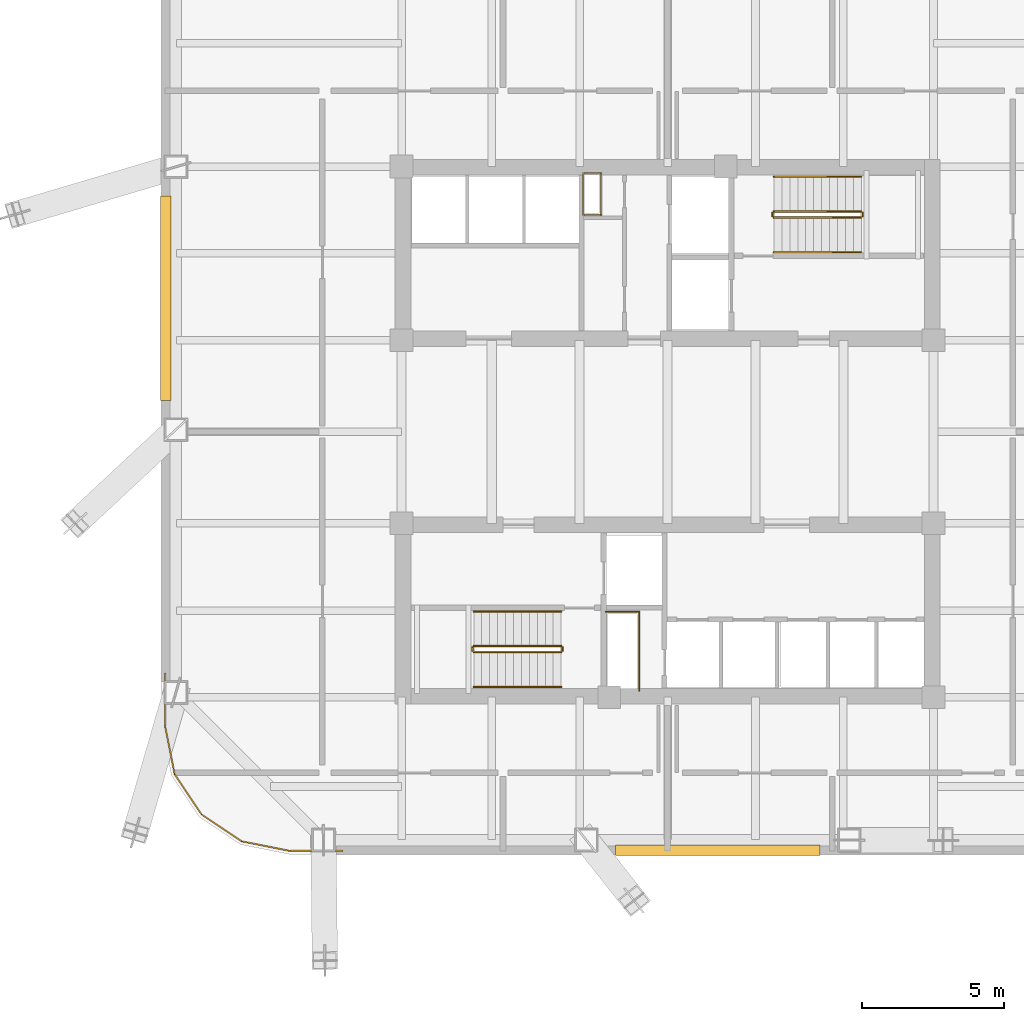
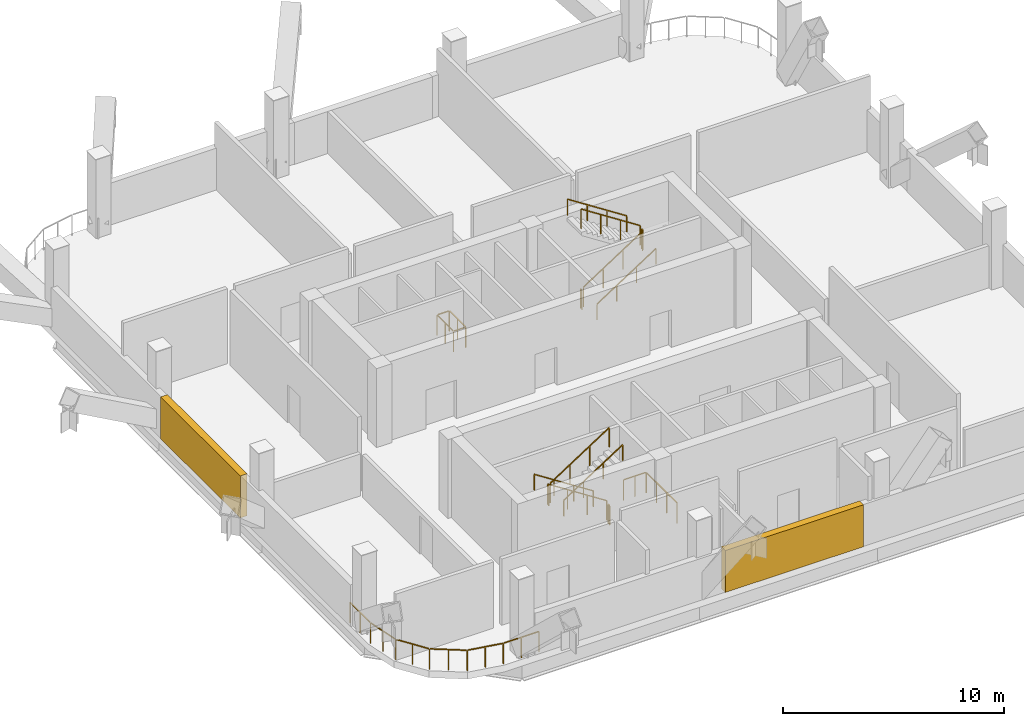
# One storey, part 6 of 7: 15 railings, 2 shading devices.
"""IFC4 building model written with IfcOpenShell, lengths in metres."""

from ifc_helpers import new_model, si_unit, direction, frame, origin, origin_2d, place, context, subcontext, project, spatial, rectangle, extrude, material, type_object, element, save


model = new_model("IFC4")

# Units and contexts
model_context = context("Model", 3, precision=1e-05, world=origin(), true_north=direction((0.0, 1.0)))
body_context = subcontext(model_context, "Body", "Model", "MODEL_VIEW")
ifc_project = project(units=[si_unit("LENGTHUNIT", "METRE"), si_unit("AREAUNIT", "SQUARE_METRE"), si_unit("VOLUMEUNIT", "CUBIC_METRE"), si_unit("PLANEANGLEUNIT", "RADIAN"), si_unit("MASSUNIT", "GRAM", prefix="KILO")], contexts=[model_context])

# Site, building, storey
site_placement = place(None, origin())
site = spatial("IfcSite", under=ifc_project, at=site_placement, CompositionType="ELEMENT")
building_placement = place(site_placement, origin())
building = spatial("IfcBuilding", under=site, at=building_placement, Name="Qhalaya Broadcast Tower", CompositionType="ELEMENT")
storey_placement = place(building_placement, frame((0.0, 0.0, 108.449951171875)))
storey = spatial("IfcBuildingStorey", under=building, at=storey_placement, Name="L31", CompositionType="ELEMENT", Elevation=108.449951171875)

# Shading devices
ifc_material_1 = material(Name="Fired Architectural Terracotta", Category="masonry")
shading_device_type = type_object("IfcShadingDeviceType", Name="Plant & Turbine-Slot Acoustic Louvre Screen LVS-01", PredefinedType="USERDEFINED", material=ifc_material_1)
for number, where, z_axis, x_axis, name in (
    (1, (1.77001953125, -14.14990234375, 0.0), (0.0, 0.0, 1.0), (-1.0, 0.0, 0.0), "L31 Plant Acoustic Louvre Screen S"),
    (2, (-17.68994140625, 5.31005859375, 0.0), (0.0, 0.0, 1.0), (0.0, 1.0, 0.0), "L31 Plant Acoustic Louvre Screen W"),
):
    element("IfcShadingDevice", number, at=place(storey_placement, frame(where, z_axis=z_axis, x_axis=x_axis)), inside=storey, type_object=shading_device_type, Name=name, ObjectType="LOUVRE", PredefinedType="USERDEFINED", context=body_context, shape_type="SweptSolid", body=[
        extrude(rectangle(XDim=7.199951171875, YDim=0.360107421875, at=origin_2d()), origin(), (0.0, 0.0, 1.0), 2.31005859375),
    ])

# Railings
ifc_material_2 = material(Name="Powder-Coated Galvanised Steel", Category="steel")
railing_type_1 = type_object("IfcRailingType", Name="Stair Wall Handrail 900", PredefinedType="HANDRAIL", material=ifc_material_2)
railing_1_placement = place(storey_placement, frame((3.75, 6.929931640625, 0.181396484375)))
element("IfcRailing", 3, at=railing_1_placement, inside=storey, type_object=railing_type_1, Name="L31 ST-1 Stair Handrail 1", PredefinedType="HANDRAIL", context=body_context, shape_type="SweptSolid", body=[
    extrude(rectangle(XDim=0.048095703125, YDim=0.048095703125, at=origin_2d()), frame((0.0, 0.0, 0.8759765625), z_axis=(0.839488025565, 0.0, 0.543378187759), x_axis=(0.0, 1.0, 0.0)), (0.0, 0.0, 1.0), 3.6689453125),
    extrude(rectangle(XDim=0.0419921875, YDim=0.0419921875, at=origin_2d()), origin(), (0.0, 0.0, 1.0), 0.849853515625),
    extrude(rectangle(XDim=0.0419921875, YDim=0.0419921875, at=origin_2d()), frame((1.026611328125, 0.0, 0.66455078125)), (0.0, 0.0, 1.0), 0.849853515625),
    extrude(rectangle(XDim=0.0419921875, YDim=0.0419921875, at=origin_2d()), frame((2.053466796875, 0.0, 1.3291015625)), (0.0, 0.0, 1.0), 0.849853515625),
    extrude(rectangle(XDim=0.0419921875, YDim=0.0419921875, at=origin_2d()), frame((3.080078125, 0.0, 1.99365234375)), (0.0, 0.0, 1.0), 0.849853515625),
])
railing_2_placement = place(storey_placement, frame((6.830078125, 9.590087890625, 2.356201171875)))
element("IfcRailing", 4, at=railing_2_placement, inside=storey, type_object=railing_type_1, Name="L31 ST-1 Stair Handrail 2", PredefinedType="HANDRAIL", context=body_context, shape_type="SweptSolid", body=[
    extrude(rectangle(XDim=0.048095703125, YDim=0.048095703125, at=origin_2d()), frame((0.0, 0.0, 0.8759765625), z_axis=(-0.8394576718, 0.0, 0.543425079708), x_axis=(0.0, -1.0, 0.0)), (0.0, 0.0, 1.0), 3.669189453125),
    extrude(rectangle(XDim=0.0419921875, YDim=0.0419921875, at=origin_2d()), origin(), (0.0, 0.0, 1.0), 0.849853515625),
    extrude(rectangle(XDim=0.0419921875, YDim=0.0419921875, at=origin_2d()), frame((-1.026611328125, 0.0, 0.66455078125)), (0.0, 0.0, 1.0), 0.849853515625),
    extrude(rectangle(XDim=0.0419921875, YDim=0.0419921875, at=origin_2d()), frame((-2.053466796875, 0.0, 1.329345703125)), (0.0, 0.0, 1.0), 0.849853515625),
    extrude(rectangle(XDim=0.0419921875, YDim=0.0419921875, at=origin_2d()), frame((-3.080078125, 0.0, 1.993896484375)), (0.0, 0.0, 1.0), 0.849853515625),
])
railing_3_placement = place(storey_placement, frame((-3.75, -5.72998046875, 0.181396484375)))
element("IfcRailing", 5, at=railing_3_placement, inside=storey, type_object=railing_type_1, Name="L31 ST-2 Stair Handrail 1", PredefinedType="HANDRAIL", context=body_context, shape_type="SweptSolid", body=[
    extrude(rectangle(XDim=0.048095703125, YDim=0.048095703125, at=origin_2d()), frame((0.0, 0.0, 0.8759765625), z_axis=(-0.839488025565, 0.0, 0.543378187759), x_axis=(0.0, -1.0, 0.0)), (0.0, 0.0, 1.0), 3.6689453125),
    extrude(rectangle(XDim=0.0419921875, YDim=0.0419921875, at=origin_2d()), origin(), (0.0, 0.0, 1.0), 0.849853515625),
    extrude(rectangle(XDim=0.0419921875, YDim=0.0419921875, at=origin_2d()), frame((-1.026611328125, 0.0, 0.66455078125)), (0.0, 0.0, 1.0), 0.849853515625),
    extrude(rectangle(XDim=0.0419921875, YDim=0.0419921875, at=origin_2d()), frame((-2.053466796875, 0.0, 1.3291015625)), (0.0, 0.0, 1.0), 0.849853515625),
    extrude(rectangle(XDim=0.0419921875, YDim=0.0419921875, at=origin_2d()), frame((-3.080078125, 0.0, 1.99365234375)), (0.0, 0.0, 1.0), 0.849853515625),
])
railing_4_placement = place(storey_placement, frame((-6.830078125, -8.389892578125, 2.356201171875)))
element("IfcRailing", 6, at=railing_4_placement, inside=storey, type_object=railing_type_1, Name="L31 ST-2 Stair Handrail 2", PredefinedType="HANDRAIL", context=body_context, shape_type="SweptSolid", body=[
    extrude(rectangle(XDim=0.048095703125, YDim=0.048095703125, at=origin_2d()), frame((0.0, 0.0, 0.8759765625), z_axis=(0.8394576718, 0.0, 0.543425079708), x_axis=(0.0, 1.0, 0.0)), (0.0, 0.0, 1.0), 3.669189453125),
    extrude(rectangle(XDim=0.0419921875, YDim=0.0419921875, at=origin_2d()), origin(), (0.0, 0.0, 1.0), 0.849853515625),
    extrude(rectangle(XDim=0.0419921875, YDim=0.0419921875, at=origin_2d()), frame((1.026611328125, 0.0, 0.66455078125)), (0.0, 0.0, 1.0), 0.849853515625),
    extrude(rectangle(XDim=0.0419921875, YDim=0.0419921875, at=origin_2d()), frame((2.053466796875, 0.0, 1.329345703125)), (0.0, 0.0, 1.0), 0.849853515625),
    extrude(rectangle(XDim=0.0419921875, YDim=0.0419921875, at=origin_2d()), frame((3.080078125, 0.0, 1.993896484375)), (0.0, 0.0, 1.0), 0.849853515625),
])
railing_type_2 = type_object("IfcRailingType", Name="Stair Well & Landing Guardrail 1100", PredefinedType="GUARDRAIL", material=ifc_material_2)
railing_5_placement = place(storey_placement, frame((-2.340087890625, 8.239990234375, 0.0)))
element("IfcRailing", 7, at=railing_5_placement, inside=storey, type_object=railing_type_2, Name="L31 Service Riser Opening Safety Guard NRSR", PredefinedType="GUARDRAIL", context=body_context, shape_type="SweptSolid", body=[
    extrude(rectangle(XDim=0.048095703125, YDim=0.048095703125, at=origin_2d()), frame((0.0, 0.02880859375, 1.1259765625), z_axis=(0.0, 1.0, 0.0), x_axis=(-1.0, 0.0, 0.0)), (0.0, 0.0, 1.0), 1.42236328125),
    extrude(rectangle(XDim=0.048095703125, YDim=0.048095703125, at=origin_2d()), frame((-0.02880859375, 1.47998046875, 1.1259765625), z_axis=(-1.0, 0.0, 0.0), x_axis=(0.0, -1.0, 0.0)), (0.0, 0.0, 1.0), 0.582275390625),
    extrude(rectangle(XDim=0.048095703125, YDim=0.048095703125, at=origin_2d()), frame((-0.639892578125, 1.451171875, 1.1259765625), z_axis=(0.0, -1.0, 0.0), x_axis=(1.0, 0.0, 0.0)), (0.0, 0.0, 1.0), 1.42236328125),
    extrude(rectangle(XDim=0.048095703125, YDim=0.048095703125, at=origin_2d()), frame((-0.611083984375, 0.0, 1.1259765625), z_axis=(1.0, 0.0, 0.0), x_axis=(0.0, 1.0, 0.0)), (0.0, 0.0, 1.0), 0.582275390625),
    extrude(rectangle(XDim=0.0419921875, YDim=0.0419921875, at=origin_2d()), origin(), (0.0, 0.0, 1.0), 1.099853515625),
    extrude(rectangle(XDim=0.0419921875, YDim=0.0419921875, at=origin_2d()), frame((0.0, 0.739990234375, 0.0)), (0.0, 0.0, 1.0), 1.099853515625),
    extrude(rectangle(XDim=0.0419921875, YDim=0.0419921875, at=origin_2d()), frame((0.0, 1.47998046875, 0.0)), (0.0, 0.0, 1.0), 1.099853515625),
    extrude(rectangle(XDim=0.0419921875, YDim=0.0419921875, at=origin_2d()), frame((-0.639892578125, 1.47998046875, 0.0)), (0.0, 0.0, 1.0), 1.099853515625),
    extrude(rectangle(XDim=0.0419921875, YDim=0.0419921875, at=origin_2d()), frame((-0.639892578125, 0.739990234375, 0.0)), (0.0, 0.0, 1.0), 1.099853515625),
    extrude(rectangle(XDim=0.0419921875, YDim=0.0419921875, at=origin_2d()), frame((-0.639892578125, 0.0, 0.0)), (0.0, 0.0, 1.0), 1.099853515625),
])
railing_6_placement = place(storey_placement, frame((-1.0, -8.52001953125, 0.0)))
element("IfcRailing", 8, at=railing_6_placement, inside=storey, type_object=railing_type_2, Name="L31 Service Riser Opening Safety Guard SRSR", PredefinedType="GUARDRAIL", context=body_context, shape_type="SweptSolid", body=[
    extrude(rectangle(XDim=0.048095703125, YDim=0.048095703125, at=origin_2d()), frame((0.0, 0.0, 1.1259765625), z_axis=(0.0, 1.0, 0.0), x_axis=(-1.0, 0.0, 0.0)), (0.0, 0.0, 1.0), 2.751220703125),
    extrude(rectangle(XDim=0.048095703125, YDim=0.048095703125, at=origin_2d()), frame((-0.02880859375, 2.780029296875, 1.1259765625), z_axis=(-1.0, 0.0, 0.0), x_axis=(0.0, -1.0, 0.0)), (0.0, 0.0, 1.0), 1.151123046875),
    extrude(rectangle(XDim=0.0419921875, YDim=0.0419921875, at=origin_2d()), origin(), (0.0, 0.0, 1.0), 1.099853515625),
    extrude(rectangle(XDim=0.0419921875, YDim=0.0419921875, at=origin_2d()), frame((0.0, 0.9267578125, 0.0)), (0.0, 0.0, 1.0), 1.099853515625),
    extrude(rectangle(XDim=0.0419921875, YDim=0.0419921875, at=origin_2d()), frame((0.0, 1.853271484375, 0.0)), (0.0, 0.0, 1.0), 1.099853515625),
    extrude(rectangle(XDim=0.0419921875, YDim=0.0419921875, at=origin_2d()), frame((0.0, 2.780029296875, 0.0)), (0.0, 0.0, 1.0), 1.099853515625),
    extrude(rectangle(XDim=0.0419921875, YDim=0.0419921875, at=origin_2d()), frame((-0.58984375, 2.780029296875, 0.0)), (0.0, 0.0, 1.0), 1.099853515625),
    extrude(rectangle(XDim=0.0419921875, YDim=0.0419921875, at=origin_2d()), frame((-1.179931640625, 2.780029296875, 0.0)), (0.0, 0.0, 1.0), 1.099853515625),
])
railing_7_placement = place(storey_placement, frame((3.75, 8.14990234375, 0.181396484375)))
element("IfcRailing", 9, at=railing_7_placement, inside=storey, type_object=railing_type_2, Name="L31 ST-1 Stair Guard 1", PredefinedType="GUARDRAIL", context=body_context, shape_type="SweptSolid", body=[
    extrude(rectangle(XDim=0.048095703125, YDim=0.048095703125, at=origin_2d()), frame((0.0, 0.0, 1.076171875), z_axis=(0.839488025565, 0.0, 0.543378187759), x_axis=(0.0, 1.0, 0.0)), (0.0, 0.0, 1.0), 3.6689453125),
    extrude(rectangle(XDim=0.0419921875, YDim=0.0419921875, at=origin_2d()), origin(), (0.0, 0.0, 1.0), 1.050048828125),
    extrude(rectangle(XDim=0.0419921875, YDim=0.0419921875, at=origin_2d()), frame((1.026611328125, 0.0, 0.66455078125)), (0.0, 0.0, 1.0), 1.050048828125),
    extrude(rectangle(XDim=0.0419921875, YDim=0.0419921875, at=origin_2d()), frame((2.053466796875, 0.0, 1.3291015625)), (0.0, 0.0, 1.0), 1.050048828125),
    extrude(rectangle(XDim=0.0419921875, YDim=0.0419921875, at=origin_2d()), frame((3.080078125, 0.0, 1.99365234375)), (0.0, 0.0, 1.0), 1.050048828125),
])
railing_8_placement = place(storey_placement, frame((6.8798828125, 8.199951171875, 2.175048828125)))
element("IfcRailing", 10, at=railing_8_placement, inside=storey, type_object=railing_type_2, Name="L31 ST-1 Stair Guard 2", PredefinedType="GUARDRAIL", context=body_context, shape_type="SweptSolid", body=[
    extrude(rectangle(XDim=0.048095703125, YDim=0.048095703125, at=origin_2d()), frame((0.0, 0.0, 1.076171875), z_axis=(0.0, 1.0, 0.0), x_axis=(-1.0, 0.0, 0.0)), (0.0, 0.0, 1.0), 0.1201171875),
    extrude(rectangle(XDim=0.0419921875, YDim=0.0419921875, at=origin_2d()), origin(), (0.0, 0.0, 1.0), 1.050048828125),
    extrude(rectangle(XDim=0.0419921875, YDim=0.0419921875, at=origin_2d()), frame((0.0, 0.1201171875, 0.0)), (0.0, 0.0, 1.0), 1.050048828125),
])
railing_9_placement = place(storey_placement, frame((6.830078125, 8.3701171875, 2.356201171875)))
element("IfcRailing", 11, at=railing_9_placement, inside=storey, type_object=railing_type_2, Name="L31 ST-1 Stair Guard 3", PredefinedType="GUARDRAIL", context=body_context, shape_type="SweptSolid", body=[
    extrude(rectangle(XDim=0.048095703125, YDim=0.048095703125, at=origin_2d()), frame((0.0, 0.0, 1.076171875), z_axis=(-0.8394576718, 0.0, 0.543425079708), x_axis=(0.0, -1.0, 0.0)), (0.0, 0.0, 1.0), 3.669189453125),
    extrude(rectangle(XDim=0.0419921875, YDim=0.0419921875, at=origin_2d()), origin(), (0.0, 0.0, 1.0), 1.050048828125),
    extrude(rectangle(XDim=0.0419921875, YDim=0.0419921875, at=origin_2d()), frame((-1.026611328125, 0.0, 0.66455078125)), (0.0, 0.0, 1.0), 1.050048828125),
    extrude(rectangle(XDim=0.0419921875, YDim=0.0419921875, at=origin_2d()), frame((-2.053466796875, 0.0, 1.329345703125)), (0.0, 0.0, 1.0), 1.050048828125),
    extrude(rectangle(XDim=0.0419921875, YDim=0.0419921875, at=origin_2d()), frame((-3.080078125, 0.0, 1.993896484375)), (0.0, 0.0, 1.0), 1.050048828125),
])
railing_10_placement = place(storey_placement, frame((3.699951171875, 8.199951171875, 0.0)))
element("IfcRailing", 12, at=railing_10_placement, inside=storey, type_object=railing_type_2, Name="L31 ST-1 Stair Guard 4", PredefinedType="GUARDRAIL", context=body_context, shape_type="SweptSolid", body=[
    extrude(rectangle(XDim=0.048095703125, YDim=0.048095703125, at=origin_2d()), frame((0.0, 0.0, 1.076171875), z_axis=(0.0, 1.0, 0.0), x_axis=(-1.0, 0.0, 0.0)), (0.0, 0.0, 1.0), 0.1201171875),
    extrude(rectangle(XDim=0.0419921875, YDim=0.0419921875, at=origin_2d()), origin(), (0.0, 0.0, 1.0), 1.050048828125),
    extrude(rectangle(XDim=0.0419921875, YDim=0.0419921875, at=origin_2d()), frame((0.0, 0.1201171875, 0.0)), (0.0, 0.0, 1.0), 1.050048828125),
])
railing_11_placement = place(storey_placement, frame((-3.75, -6.949951171875, 0.181396484375)))
element("IfcRailing", 13, at=railing_11_placement, inside=storey, type_object=railing_type_2, Name="L31 ST-2 Stair Guard 1", PredefinedType="GUARDRAIL", context=body_context, shape_type="SweptSolid", body=[
    extrude(rectangle(XDim=0.048095703125, YDim=0.048095703125, at=origin_2d()), frame((0.0, 0.0, 1.076171875), z_axis=(-0.839488025565, 0.0, 0.543378187759), x_axis=(0.0, -1.0, 0.0)), (0.0, 0.0, 1.0), 3.6689453125),
    extrude(rectangle(XDim=0.0419921875, YDim=0.0419921875, at=origin_2d()), origin(), (0.0, 0.0, 1.0), 1.050048828125),
    extrude(rectangle(XDim=0.0419921875, YDim=0.0419921875, at=origin_2d()), frame((-1.026611328125, 0.0, 0.66455078125)), (0.0, 0.0, 1.0), 1.050048828125),
    extrude(rectangle(XDim=0.0419921875, YDim=0.0419921875, at=origin_2d()), frame((-2.053466796875, 0.0, 1.3291015625)), (0.0, 0.0, 1.0), 1.050048828125),
    extrude(rectangle(XDim=0.0419921875, YDim=0.0419921875, at=origin_2d()), frame((-3.080078125, 0.0, 1.99365234375)), (0.0, 0.0, 1.0), 1.050048828125),
])
railing_12_placement = place(storey_placement, frame((-6.8798828125, -7.0, 2.175048828125)))
element("IfcRailing", 14, at=railing_12_placement, inside=storey, type_object=railing_type_2, Name="L31 ST-2 Stair Guard 2", PredefinedType="GUARDRAIL", context=body_context, shape_type="SweptSolid", body=[
    extrude(rectangle(XDim=0.048095703125, YDim=0.048095703125, at=origin_2d()), frame((0.0, 0.0, 1.076171875), z_axis=(0.0, -1.0, 0.0), x_axis=(1.0, 0.0, 0.0)), (0.0, 0.0, 1.0), 0.1201171875),
    extrude(rectangle(XDim=0.0419921875, YDim=0.0419921875, at=origin_2d()), origin(), (0.0, 0.0, 1.0), 1.050048828125),
    extrude(rectangle(XDim=0.0419921875, YDim=0.0419921875, at=origin_2d()), frame((0.0, -0.1201171875, 0.0)), (0.0, 0.0, 1.0), 1.050048828125),
])
railing_13_placement = place(storey_placement, frame((-6.830078125, -7.169921875, 2.356201171875)))
element("IfcRailing", 15, at=railing_13_placement, inside=storey, type_object=railing_type_2, Name="L31 ST-2 Stair Guard 3", PredefinedType="GUARDRAIL", context=body_context, shape_type="SweptSolid", body=[
    extrude(rectangle(XDim=0.048095703125, YDim=0.048095703125, at=origin_2d()), frame((0.0, 0.0, 1.076171875), z_axis=(0.8394576718, 0.0, 0.543425079708), x_axis=(0.0, 1.0, 0.0)), (0.0, 0.0, 1.0), 3.669189453125),
    extrude(rectangle(XDim=0.0419921875, YDim=0.0419921875, at=origin_2d()), origin(), (0.0, 0.0, 1.0), 1.050048828125),
    extrude(rectangle(XDim=0.0419921875, YDim=0.0419921875, at=origin_2d()), frame((1.026611328125, 0.0, 0.66455078125)), (0.0, 0.0, 1.0), 1.050048828125),
    extrude(rectangle(XDim=0.0419921875, YDim=0.0419921875, at=origin_2d()), frame((2.053466796875, 0.0, 1.329345703125)), (0.0, 0.0, 1.0), 1.050048828125),
    extrude(rectangle(XDim=0.0419921875, YDim=0.0419921875, at=origin_2d()), frame((3.080078125, 0.0, 1.993896484375)), (0.0, 0.0, 1.0), 1.050048828125),
])
railing_14_placement = place(storey_placement, frame((-3.699951171875, -7.0, 0.0)))
element("IfcRailing", 16, at=railing_14_placement, inside=storey, type_object=railing_type_2, Name="L31 ST-2 Stair Guard 4", PredefinedType="GUARDRAIL", context=body_context, shape_type="SweptSolid", body=[
    extrude(rectangle(XDim=0.048095703125, YDim=0.048095703125, at=origin_2d()), frame((0.0, 0.0, 1.076171875), z_axis=(0.0, -1.0, 0.0), x_axis=(1.0, 0.0, 0.0)), (0.0, 0.0, 1.0), 0.1201171875),
    extrude(rectangle(XDim=0.0419921875, YDim=0.0419921875, at=origin_2d()), origin(), (0.0, 0.0, 1.0), 1.050048828125),
    extrude(rectangle(XDim=0.0419921875, YDim=0.0419921875, at=origin_2d()), frame((0.0, -0.1201171875, 0.0)), (0.0, 0.0, 1.0), 1.050048828125),
])
railing_type_3 = type_object("IfcRailingType", Name="Terrace, Sky-Pool & Lookout Glass Balustrade 1150", PredefinedType="BALUSTRADE", material=ifc_material_2)
railing_15_placement = place(storey_placement, frame((-11.4619140625, -14.169921875, 0.0)))
element("IfcRailing", 17, at=railing_15_placement, inside=storey, type_object=railing_type_3, Name="L31 Rounded Corner Perimeter Guard 02", PredefinedType="BALUSTRADE", context=body_context, shape_type="SweptSolid", body=[
    extrude(rectangle(XDim=0.048095703125, YDim=0.048095703125, at=origin_2d()), frame((0.0, 0.0, 1.1259765625), z_axis=(-1.0, 0.0, 0.0), x_axis=(0.0, -1.0, 0.0)), (0.0, 0.0, 1.0), 1.827392578125),
    extrude(rectangle(XDim=0.048095703125, YDim=0.048095703125, at=origin_2d()), frame((-1.884521484375, 0.005615234375, 1.1259765625), z_axis=(-0.980803832953, 0.194997028864, 0.0), x_axis=(-0.194997028864, -0.980803832953, 0.0)), (0.0, 0.0, 1.0), 1.66259765625),
    extrude(rectangle(XDim=0.048095703125, YDim=0.048095703125, at=origin_2d()), frame((-3.5673828125, 0.3515625, 1.1259765625), z_axis=(-0.831456085426, 0.555590476887, 0.0), x_axis=(-0.555590476887, -0.831456085426, 0.0)), (0.0, 0.0, 1.0), 1.650390625),
    extrude(rectangle(XDim=0.048095703125, YDim=0.048095703125, at=origin_2d()), frame((-4.979736328125, 1.308349609375, 1.1259765625), z_axis=(-0.555590476887, 0.831456085426, 0.0), x_axis=(-0.831456085426, -0.555590476887, 0.0)), (0.0, 0.0, 1.0), 1.650390625),
    extrude(rectangle(XDim=0.048095703125, YDim=0.048095703125, at=origin_2d()), frame((-5.918212890625, 2.73291015625, 1.1259765625), z_axis=(-0.195024175165, 0.980798435511, 0.0), x_axis=(-0.980798435511, -0.195024175165, 0.0)), (0.0, 0.0, 1.0), 1.662353515625),
    extrude(rectangle(XDim=0.048095703125, YDim=0.048095703125, at=origin_2d()), frame((-6.248046875, 4.42041015625, 1.1259765625), z_axis=(0.0, 1.0, 0.0), x_axis=(-1.0, 0.0, 0.0)), (0.0, 0.0, 1.0), 1.827392578125),
    extrude(rectangle(XDim=0.0419921875, YDim=0.0419921875, at=origin_2d()), origin(), (0.0, 0.0, 1.0), 1.099853515625),
    extrude(rectangle(XDim=0.0419921875, YDim=0.0419921875, at=origin_2d()), frame((-0.92822265625, 0.0, 0.0)), (0.0, 0.0, 1.0), 1.099853515625),
    extrude(rectangle(XDim=0.0419921875, YDim=0.0419921875, at=origin_2d()), frame((-1.856201171875, 0.0, 0.0)), (0.0, 0.0, 1.0), 1.099853515625),
    extrude(rectangle(XDim=0.0419921875, YDim=0.0419921875, at=origin_2d()), frame((-2.69970703125, 0.167724609375, 0.0)), (0.0, 0.0, 1.0), 1.099853515625),
    extrude(rectangle(XDim=0.0419921875, YDim=0.0419921875, at=origin_2d()), frame((-3.54345703125, 0.33544921875, 0.0)), (0.0, 0.0, 1.0), 1.099853515625),
    extrude(rectangle(XDim=0.0419921875, YDim=0.0419921875, at=origin_2d()), frame((-4.25341796875, 0.81005859375, 0.0)), (0.0, 0.0, 1.0), 1.099853515625),
    extrude(rectangle(XDim=0.0419921875, YDim=0.0419921875, at=origin_2d()), frame((-4.963623046875, 1.284423828125, 0.0)), (0.0, 0.0, 1.0), 1.099853515625),
    extrude(rectangle(XDim=0.0419921875, YDim=0.0419921875, at=origin_2d()), frame((-5.43798828125, 1.99462890625, 0.0)), (0.0, 0.0, 1.0), 1.099853515625),
    extrude(rectangle(XDim=0.0419921875, YDim=0.0419921875, at=origin_2d()), frame((-5.91259765625, 2.70458984375, 0.0)), (0.0, 0.0, 1.0), 1.099853515625),
    extrude(rectangle(XDim=0.0419921875, YDim=0.0419921875, at=origin_2d()), frame((-6.080322265625, 3.548095703125, 0.0)), (0.0, 0.0, 1.0), 1.099853515625),
    extrude(rectangle(XDim=0.0419921875, YDim=0.0419921875, at=origin_2d()), frame((-6.248046875, 4.3916015625, 0.0)), (0.0, 0.0, 1.0), 1.099853515625),
    extrude(rectangle(XDim=0.0419921875, YDim=0.0419921875, at=origin_2d()), frame((-6.248046875, 5.31982421875, 0.0)), (0.0, 0.0, 1.0), 1.099853515625),
    extrude(rectangle(XDim=0.0419921875, YDim=0.0419921875, at=origin_2d()), frame((-6.248046875, 6.247802734375, 0.0)), (0.0, 0.0, 1.0), 1.099853515625),
])

save(model, "model.ifc")
